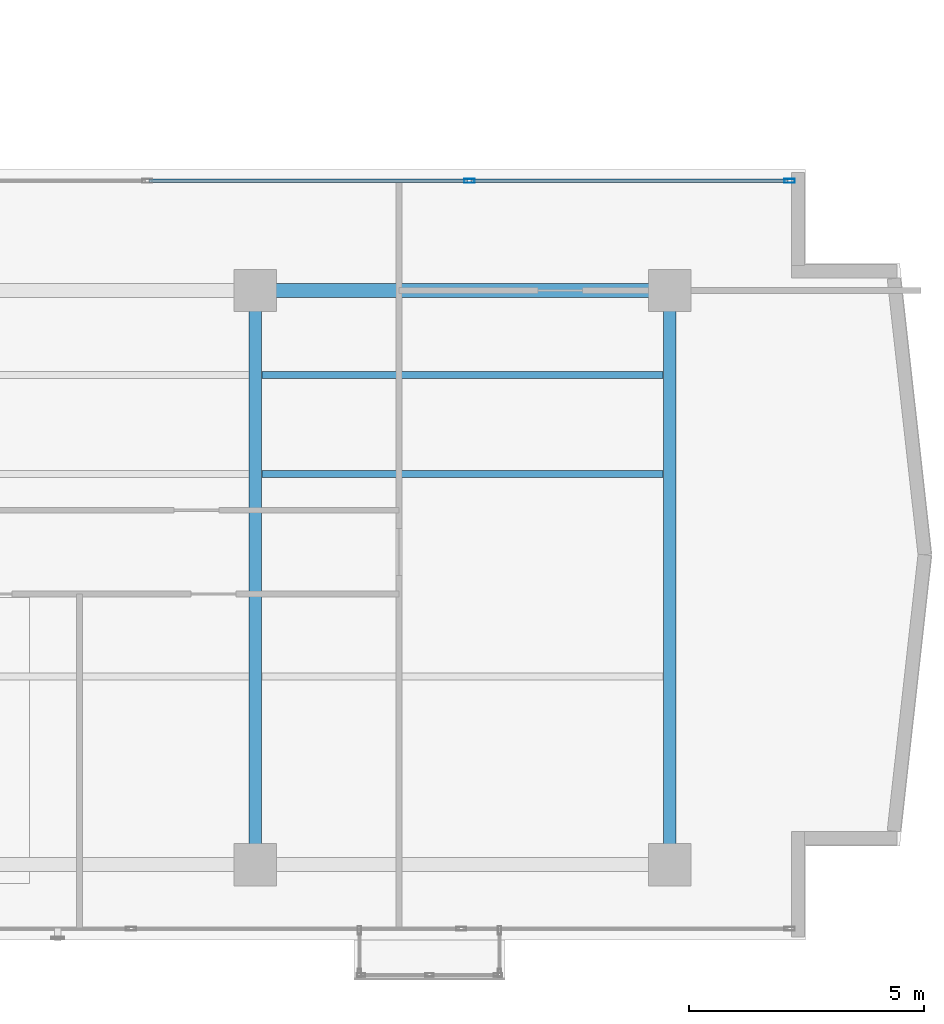
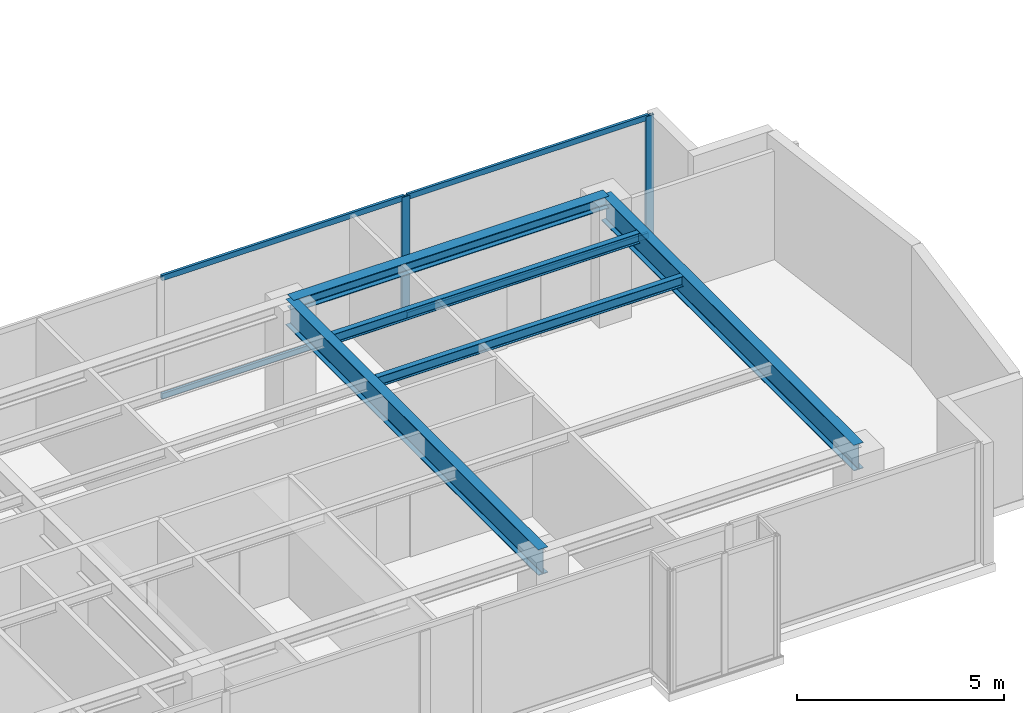
# One storey, part 11 of 22: 6 members, 5 beams, 1 element without a shape of its own.
"""IFC4 building model written with IfcOpenShell, lengths in metres."""

from ifc_helpers import new_model, si_unit, direction, frame, origin, origin_with_axes, origin_2d, place, context, subcontext, project, spatial, hollow_rectangle, i_section, extrude, source, transform, mapped, material, layer, layer_set, material_profile, profile_set, type_object, element, aggregate, save


model = new_model("IFC4")

# Units and contexts
model_context = context("Model", 3, precision=1e-05, world=origin(), true_north=direction((0.0, 1.0)))
body_context = subcontext(model_context, "Body", "Model", "MODEL_VIEW")
ifc_project = project(units=[si_unit("LENGTHUNIT", "METRE"), si_unit("AREAUNIT", "SQUARE_METRE"), si_unit("VOLUMEUNIT", "CUBIC_METRE"), si_unit("PLANEANGLEUNIT", "RADIAN"), si_unit("MASSUNIT", "GRAM", prefix="KILO")], contexts=[model_context])

# Site, building, storey
site_placement = place(None, origin())
site = spatial("IfcSite", under=ifc_project, at=site_placement, CompositionType="ELEMENT")
building_placement = place(site_placement, origin())
building = spatial("IfcBuilding", under=site, at=building_placement, Name="Kolvaren Waterfront Exchange", CompositionType="ELEMENT")
storey_placement = place(building_placement, frame((0.0, 0.0, 274.199951171875)))
storey = spatial("IfcBuildingStorey", under=building, at=storey_placement, Name="L70", CompositionType="ELEMENT", Elevation=274.199951171875)

# Beams
ifc_material_1 = material(Name="Steel S355", Category="steel")
ifc_material_profile_1 = material_profile(ifc_material_1, i_section(OverallWidth=0.300048828125, OverallDepth=0.360107421875, WebThickness=0.012451171875, FlangeThickness=0.0224609375, FilletRadius=0.027099609375, at=origin_2d()), Name="HEB360")
ifc_profile_set_1 = profile_set([ifc_material_profile_1], Name="Steel S355")
beam_type_1 = type_object("IfcBeamType", Name="STR-BM-HEB360", PredefinedType="SPANDREL", material=ifc_profile_set_1)
beam_placement = place(storey_placement, frame((36.800048828125, 17.39990234375, 3.380126953125), z_axis=(1.0, 0.0, 0.0), x_axis=(0.0, 1.0, 0.0)))
element("IfcBeam", 1, at=beam_placement, inside=storey, type_object=beam_type_1, Name="L70 east-arm spandrel N3", PredefinedType="SPANDREL", context=body_context, shape_type="SweptSolid", body=[
    extrude(i_section(OverallWidth=0.300048828125, OverallDepth=0.360107421875, WebThickness=0.012451171875, FlangeThickness=0.0224609375, FilletRadius=0.027099609375, at=origin_2d()), origin(), (0.0, 0.0, 1.0), 8.800048828125),
])
ifc_material_profile_2 = material_profile(ifc_material_1, i_section(OverallWidth=0.14990234375, OverallDepth=0.300048828125, WebThickness=0.007080078125, FlangeThickness=0.0107421875, FilletRadius=0.014892578125, at=origin_2d()), Name="IPE300")
ifc_profile_set_2 = profile_set([ifc_material_profile_2], Name="Steel S355")
beam_type_2 = type_object("IfcBeamType", Name="STR-BM-IPE300", PredefinedType="JOIST", material=ifc_profile_set_2)
for number, where, z_axis, x_axis, name in (
    (2, (36.935546875, 13.5, 3.41015625), (1.0, 0.0, 0.0), (0.0, 1.0, 0.0), "L70 east-arm composite joist 3A"),
    (3, (36.935546875, 15.60009765625, 3.41015625), (1.0, 0.0, 0.0), (0.0, 1.0, 0.0), "L70 east-arm composite joist 3C"),
):
    element("IfcBeam", number, at=place(storey_placement, frame(where, z_axis=z_axis, x_axis=x_axis)), inside=storey, type_object=beam_type_2, Name=name, PredefinedType="JOIST", context=body_context, shape_type="SweptSolid", body=[
        extrude(i_section(OverallWidth=0.14990234375, OverallDepth=0.300048828125, WebThickness=0.007080078125, FlangeThickness=0.0107421875, FilletRadius=0.014892578125, at=origin_2d()), origin(), (0.0, 0.0, 1.0), 8.529052734375),
    ])
ifc_material_profile_3 = material_profile(ifc_material_1, i_section(OverallWidth=0.26708984375, OverallDepth=0.761962890625, WebThickness=0.014404296875, FlangeThickness=0.021484375, FilletRadius=0.01708984375, at=origin_2d()), Name="IPE750x173")
ifc_profile_set_3 = profile_set([ifc_material_profile_3], Name="Steel S355")
beam_type_3 = type_object("IfcBeamType", Name="STR-BM-IPE750", PredefinedType="BEAM", material=ifc_profile_set_3)
for number, where, z_axis, x_axis, name in (
    (4, (36.800048828125, 5.199951171875, 3.178955078125), (0.0, 1.0, 0.0), (-1.0, 0.0, 0.0), "L70 east-arm transverse girder X36"),
    (5, (45.60009765625, 5.199951171875, 3.178955078125), (0.0, 1.0, 0.0), (-1.0, 0.0, 0.0), "L70 east-arm transverse girder X45"),
):
    element("IfcBeam", number, at=place(storey_placement, frame(where, z_axis=z_axis, x_axis=x_axis)), inside=storey, type_object=beam_type_3, Name=name, PredefinedType="BEAM", context=body_context, shape_type="SweptSolid", body=[
        extrude(i_section(OverallWidth=0.26708984375, OverallDepth=0.761962890625, WebThickness=0.014404296875, FlangeThickness=0.021484375, FilletRadius=0.01708984375, at=origin_2d()), origin(), (0.0, 0.0, 1.0), 12.199951171875),
    ])

# Curtain wall, members
ifc_material_2 = material(Name="Anodised bronze aluminium 6063-T6", Category="aluminium")
ifc_layer = layer(ifc_material_2, 0.219970703125, Name="Anodised bronze aluminium 6063-T6")
ifc_layer_set = layer_set([ifc_layer], Name="Anodised bronze aluminium 6063-T6")
curtain_wall_type = type_object("IfcCurtainWallType", Name="ARC-CW-SYS1", PredefinedType="USERDEFINED", material=ifc_layer_set)
curtain_wall_placement = place(storey_placement, origin())
curtain_wall = element("IfcCurtainWall", 6, at=curtain_wall_placement, inside=storey, type_object=curtain_wall_type, Name="L70 stick curtain wall CW1 (CW-L70-EN)", ObjectType="STICK CURTAIN WALL", PredefinedType="USERDEFINED")
ifc_material_3 = material(Name="Anodised aluminium 6063-T6", Category="aluminium")
ifc_material_profile_4 = material_profile(ifc_material_3, hollow_rectangle(XDim=0.080078125, YDim=0.219970703125, WallThickness=0.0048828125, at=origin_2d()), Name="ALU-MUL-220x80x5")
ifc_profile_set_4 = profile_set([ifc_material_profile_4], Name="Anodised aluminium 6063-T6")
member_type_1 = type_object("IfcMemberType", Name="ARC-CWM-220", PredefinedType="MULLION", material=ifc_profile_set_4)
shared_shape_1 = source(origin_with_axes(), body_context, "Body", "SweptSolid", [
    extrude(hollow_rectangle(XDim=0.080078125, YDim=0.219970703125, WallThickness=0.0048828125, at=origin_2d()), origin(), (0.0, 0.0, 1.0), 3.56005859375),
])
member_1_placement = place(storey_placement, frame((41.345703125, 19.728515625, 0.0), z_axis=(0.0, 0.0, 1.0), x_axis=(0.0, 1.0, 0.0)))
member_1 = element("IfcMember", 7, at=member_1_placement, type_object=member_type_1, Name="CW1 mullion 3", PredefinedType="MULLION", context=body_context, shape_type="MappedRepresentation", body=[
    mapped(shared_shape_1, transform((0.0, 0.0, 0.0), x_axis=(1.0, 0.0, 0.0), y_axis=(0.0, 1.0, 0.0), z_axis=(0.0, 0.0, 1.0), scale=1.0)),
])
member_2_placement = place(storey_placement, frame((48.1494140625, 19.728515625, 0.0), z_axis=(0.0, 0.0, 1.0), x_axis=(0.0, 1.0, 0.0)))
member_2 = element("IfcMember", 8, at=member_2_placement, type_object=member_type_1, Name="CW1 mullion 4", PredefinedType="MULLION", context=body_context, shape_type="MappedRepresentation", body=[
    mapped(shared_shape_1, transform((0.0, 0.0, 0.0), x_axis=(1.0, 0.0, 0.0), y_axis=(0.0, 1.0, 0.0), z_axis=(0.0, 0.0, 1.0), scale=1.0)),
])
ifc_material_profile_5 = material_profile(ifc_material_3, hollow_rectangle(XDim=0.074951171875, YDim=0.159912109375, WallThickness=0.00439453125, at=origin_2d()), Name="ALU-TRN-160x75x4.5")
ifc_profile_set_5 = profile_set([ifc_material_profile_5], Name="Anodised aluminium 6063-T6")
member_type_2 = type_object("IfcMemberType", Name="ARC-CWT-160", PredefinedType="USERDEFINED", material=ifc_profile_set_5)
shared_shape_2 = source(origin_with_axes(), body_context, "Body", "SweptSolid", [
    extrude(hollow_rectangle(XDim=0.074951171875, YDim=0.159912109375, WallThickness=0.00439453125, at=origin_2d()), origin(), (0.0, 0.0, 1.0), 6.723876953125),
])
member_3_placement = place(storey_placement, frame((41.3857421875, 19.728515625, 0.03759765625), z_axis=(1.0, 0.0, 0.0), x_axis=(0.0, 1.0, 0.0)))
member_3 = element("IfcMember", 9, at=member_3_placement, type_object=member_type_2, Name="CW1 transom 3.1", ObjectType="TRANSOM", PredefinedType="USERDEFINED", context=body_context, shape_type="MappedRepresentation", body=[
    mapped(shared_shape_2, transform((0.0, 0.0, 0.0), x_axis=(1.0, 0.0, 0.0), y_axis=(0.0, 1.0, 0.0), z_axis=(0.0, 0.0, 1.0), scale=1.0)),
])
member_4_placement = place(storey_placement, frame((41.3857421875, 19.728515625, 3.5224609375), z_axis=(1.0, 0.0, 0.0), x_axis=(0.0, 1.0, 0.0)))
member_4 = element("IfcMember", 10, at=member_4_placement, type_object=member_type_2, Name="CW1 transom 3.2", ObjectType="TRANSOM", PredefinedType="USERDEFINED", context=body_context, shape_type="MappedRepresentation", body=[
    mapped(shared_shape_2, transform((0.0, 0.0, 0.0), x_axis=(1.0, 0.0, 0.0), y_axis=(0.0, 1.0, 0.0), z_axis=(0.0, 0.0, 1.0), scale=1.0)),
])
shared_shape_3 = source(origin_with_axes(), body_context, "Body", "SweptSolid", [
    extrude(hollow_rectangle(XDim=0.074951171875, YDim=0.159912109375, WallThickness=0.00439453125, at=origin_2d()), origin(), (0.0, 0.0, 1.0), 6.763916015625),
])
member_5_placement = place(storey_placement, frame((34.5419921875, 19.728515625, 0.03759765625), z_axis=(1.0, 0.0, 0.0), x_axis=(0.0, 1.0, 0.0)))
member_5 = element("IfcMember", 11, at=member_5_placement, type_object=member_type_2, Name="CW1 transom 2.1", ObjectType="TRANSOM", PredefinedType="USERDEFINED", context=body_context, shape_type="MappedRepresentation", body=[
    mapped(shared_shape_3, transform((0.0, 0.0, 0.0), x_axis=(1.0, 0.0, 0.0), y_axis=(0.0, 1.0, 0.0), z_axis=(0.0, 0.0, 1.0), scale=1.0)),
])
member_6_placement = place(storey_placement, frame((34.5419921875, 19.728515625, 3.5224609375), z_axis=(1.0, 0.0, 0.0), x_axis=(0.0, 1.0, 0.0)))
member_6 = element("IfcMember", 12, at=member_6_placement, type_object=member_type_2, Name="CW1 transom 2.2", ObjectType="TRANSOM", PredefinedType="USERDEFINED", context=body_context, shape_type="MappedRepresentation", body=[
    mapped(shared_shape_3, transform((0.0, 0.0, 0.0), x_axis=(1.0, 0.0, 0.0), y_axis=(0.0, 1.0, 0.0), z_axis=(0.0, 0.0, 1.0), scale=1.0)),
])
aggregate(curtain_wall, [member_1, member_2, member_5, member_6, member_3, member_4])

save(model, "model.ifc")
